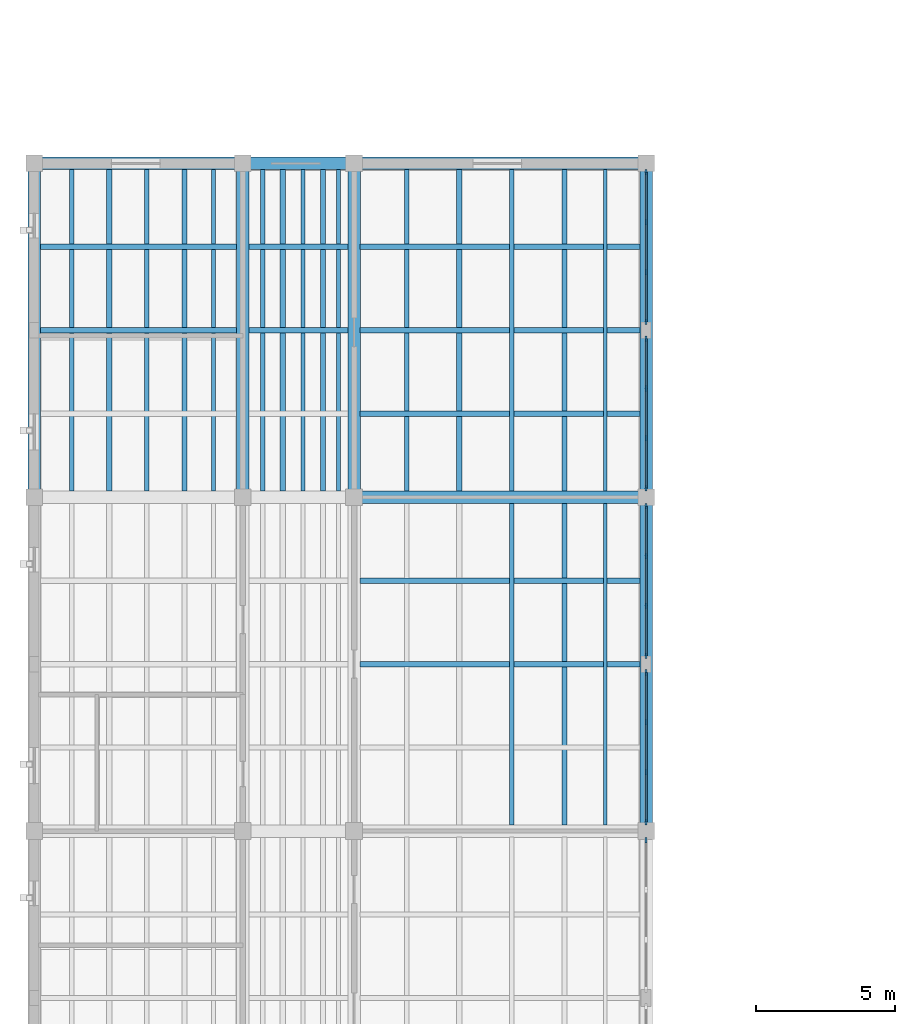
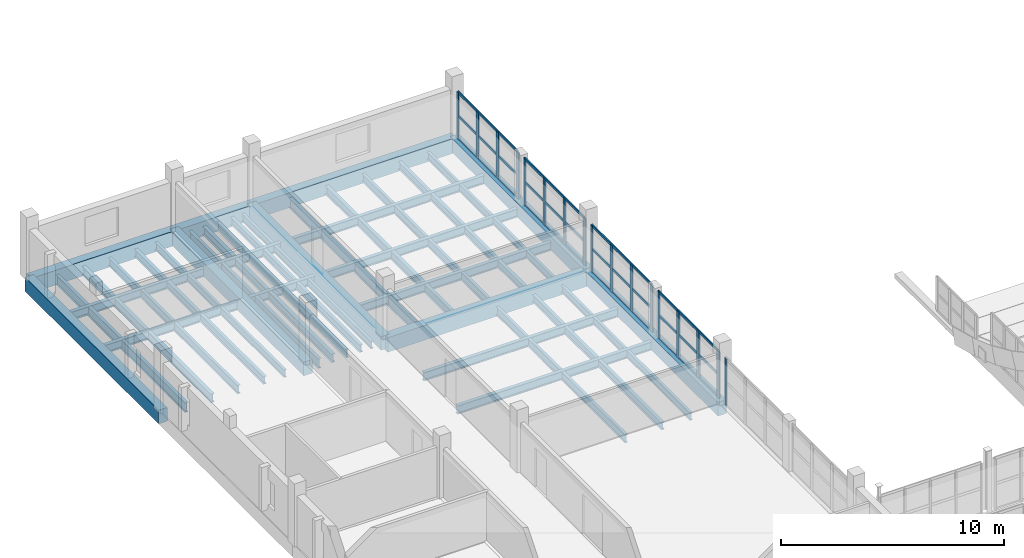
# One storey, part 23 of 77: 36 beams, 29 members, 5 elements without a shape of their own.
"""IFC4 building model written with IfcOpenShell, lengths in metres."""

from ifc_helpers import new_model, si_unit, direction, frame, origin, origin_2d, place, context, subcontext, project, spatial, rectangle, i_section, extrude, material, layer, layer_set, material_profile, profile_set, type_object, element, aggregate, save


model = new_model("IFC4")

# Units and contexts
model_context = context("Model", 3, precision=1e-05, world=origin(), true_north=direction((0.0, 1.0)))
body_context = subcontext(model_context, "Body", "Model", "MODEL_VIEW")
ifc_project = project(units=[si_unit("LENGTHUNIT", "METRE"), si_unit("AREAUNIT", "SQUARE_METRE"), si_unit("VOLUMEUNIT", "CUBIC_METRE"), si_unit("PLANEANGLEUNIT", "RADIAN"), si_unit("MASSUNIT", "GRAM", prefix="KILO")], contexts=[model_context])

# Site, building, storey
site_placement = place(None, origin())
site = spatial("IfcSite", under=ifc_project, at=site_placement, CompositionType="ELEMENT")
building_placement = place(site_placement, origin())
building = spatial("IfcBuilding", under=site, at=building_placement, Name="Trellovar Central Fire Station", CompositionType="ELEMENT")
storey_placement = place(building_placement, frame((0.0, 0.0, 5.85009765625)))
storey = spatial("IfcBuildingStorey", under=building, at=storey_placement, Name="L02", CompositionType="ELEMENT", Elevation=5.85009765625)

# Beams
ifc_material_1 = material(Name="Concrete C40/50", Category="concrete")
ifc_material_profile_1 = material_profile(ifc_material_1, rectangle(XDim=0.449951171875, YDim=0.800048828125, at=origin_2d()), Name="RC450X800")
ifc_profile_set_1 = profile_set([ifc_material_profile_1], Name="Concrete C40/50")
beam_type_1 = type_object("IfcBeamType", Name="BM-G1", PredefinedType="BEAM", material=ifc_profile_set_1)
beam_1_placement = place(storey_placement, frame((12.5, 53.0, -0.400146484375), z_axis=(1.0, 0.0, 0.0), x_axis=(0.0, 1.0, 0.0)))
element("IfcBeam", 1, at=beam_1_placement, inside=storey, type_object=beam_type_1, Name="L02 beam G-1", PredefinedType="BEAM", context=body_context, shape_type="SweptSolid", body=[
    extrude(rectangle(XDim=0.449951171875, YDim=0.800048828125, at=origin_2d()), origin(), (0.0, 0.0, 1.0), 10.5),
])
beam_2_placement = place(storey_placement, frame((1.0, 65.0, -0.400146484375), z_axis=(1.0, 0.0, 0.0), x_axis=(0.0, 1.0, 0.0)))
element("IfcBeam", 2, at=beam_2_placement, inside=storey, type_object=beam_type_1, Name="L02 beam G-1", PredefinedType="BEAM", context=body_context, shape_type="SweptSolid", body=[
    extrude(rectangle(XDim=0.449951171875, YDim=0.800048828125, at=origin_2d()), origin(), (0.0, 0.0, 1.0), 7.5),
])
beam_3_placement = place(storey_placement, frame((8.5, 65.0, -0.400146484375), z_axis=(1.0, 0.0, 0.0), x_axis=(0.0, 1.0, 0.0)))
element("IfcBeam", 3, at=beam_3_placement, inside=storey, type_object=beam_type_1, Name="L02 beam G-1", PredefinedType="BEAM", context=body_context, shape_type="SweptSolid", body=[
    extrude(rectangle(XDim=0.449951171875, YDim=0.800048828125, at=origin_2d()), origin(), (0.0, 0.0, 1.0), 4.0),
])
beam_4_placement = place(storey_placement, frame((12.5, 65.0, -0.400146484375), z_axis=(1.0, 0.0, 0.0), x_axis=(0.0, 1.0, 0.0)))
element("IfcBeam", 4, at=beam_4_placement, inside=storey, type_object=beam_type_1, Name="L02 beam G-1", PredefinedType="BEAM", context=body_context, shape_type="SweptSolid", body=[
    extrude(rectangle(XDim=0.449951171875, YDim=0.800048828125, at=origin_2d()), origin(), (0.0, 0.0, 1.0), 10.5),
])
ifc_material_2 = material(Name="Concrete C40/50", Category="concrete")
ifc_material_profile_2 = material_profile(ifc_material_2, rectangle(XDim=0.449951171875, YDim=0.75, at=origin_2d()), Name="RC450X750")
ifc_profile_set_2 = profile_set([ifc_material_profile_2], Name="Concrete C40/50")
beam_type_2 = type_object("IfcBeamType", Name="BM-G2", PredefinedType="BEAM", material=ifc_profile_set_2)
for number, where, z_axis, x_axis, name in (
    (5, (1.0, 53.0, -0.375), (0.0, 1.0, 0.0), (-1.0, 0.0, 0.0), "L02 beam G-2"),
    (6, (8.5, 53.0, -0.375), (0.0, 1.0, 0.0), (-1.0, 0.0, 0.0), "L02 beam G-2"),
    (7, (12.5, 53.0, -0.375), (0.0, 1.0, 0.0), (-1.0, 0.0, 0.0), "L02 beam G-2"),
    (8, (23.0, 41.0, -0.375), (0.0, 1.0, 0.0), (-1.0, 0.0, 0.0), "L02 beam G-2"),
    (9, (23.0, 53.0, -0.375), (0.0, 1.0, 0.0), (-1.0, 0.0, 0.0), "L02 beam G-2"),
):
    element("IfcBeam", number, at=place(storey_placement, frame(where, z_axis=z_axis, x_axis=x_axis)), inside=storey, type_object=beam_type_2, Name=name, PredefinedType="BEAM", context=body_context, shape_type="SweptSolid", body=[
        extrude(rectangle(XDim=0.449951171875, YDim=0.75, at=origin_2d()), origin(), (0.0, 0.0, 1.0), 12.0),
    ])
ifc_material_3 = material(Name="Steel ASTM A992 Grade 50", Category="steel")
ifc_material_profile_3 = material_profile(ifc_material_3, i_section(OverallWidth=0.15283203125, OverallDepth=0.45458984375, WebThickness=0.008056640625, FlangeThickness=0.01318359375, FilletRadius=0.0126953125, at=origin_2d()), Name="W18X40")
ifc_profile_set_3 = profile_set([ifc_material_profile_3], Name="Steel ASTM A992 Grade 50")
beam_type_3 = type_object("IfcBeamType", Name="BM-SW10", PredefinedType="JOIST", material=ifc_profile_set_3)
for number, where, z_axis, x_axis, name in (
    (10, (5.050048828125, 53.219970703125, -0.487548828125), (0.0, 1.0, 0.0), (-1.0, 0.0, 0.0), "L02 secondary steel deck joist"),
    (11, (10.659912109375, 53.219970703125, -0.487548828125), (0.0, 1.0, 0.0), (-1.0, 0.0, 0.0), "L02 secondary steel deck joist"),
    (12, (18.169921875, 41.219970703125, -0.487548828125), (0.0, 1.0, 0.0), (-1.0, 0.0, 0.0), "L02 secondary steel deck joist"),
    (13, (18.169921875, 53.219970703125, -0.487548828125), (0.0, 1.0, 0.0), (-1.0, 0.0, 0.0), "L02 secondary steel deck joist"),
):
    element("IfcBeam", number, at=place(storey_placement, frame(where, z_axis=z_axis, x_axis=x_axis)), inside=storey, type_object=beam_type_3, Name=name, PredefinedType="JOIST", context=body_context, shape_type="SweptSolid", body=[
        extrude(i_section(OverallWidth=0.15283203125, OverallDepth=0.45458984375, WebThickness=0.008056640625, FlangeThickness=0.01318359375, FilletRadius=0.0126953125, at=origin_2d()), origin(), (0.0, 0.0, 1.0), 11.56005859375),
    ])
ifc_material_4 = material(Name="Steel ASTM A992 Grade 50", Category="steel")
ifc_material_profile_4 = material_profile(ifc_material_4, i_section(OverallWidth=0.177490234375, OverallDepth=0.40380859375, WebThickness=0.007568359375, FlangeThickness=0.010986328125, FilletRadius=0.011474609375, at=origin_2d()), Name="W16X36")
ifc_profile_set_4 = profile_set([ifc_material_profile_4], Name="Steel ASTM A992 Grade 50")
beam_type_4 = type_object("IfcBeamType", Name="BM-SW11", PredefinedType="JOIST", material=ifc_profile_set_4)
for number, where, z_axis, x_axis, name in (
    (14, (6.39990234375, 53.219970703125, -0.462158203125), (0.0, 1.0, 0.0), (-1.0, 0.0, 0.0), "L02 secondary steel deck joist"),
    (15, (11.3798828125, 53.219970703125, -0.462158203125), (0.0, 1.0, 0.0), (-1.0, 0.0, 0.0), "L02 secondary steel deck joist"),
    (16, (20.06005859375, 41.219970703125, -0.462158203125), (0.0, 1.0, 0.0), (-1.0, 0.0, 0.0), "L02 secondary steel deck joist"),
    (17, (20.06005859375, 53.219970703125, -0.462158203125), (0.0, 1.0, 0.0), (-1.0, 0.0, 0.0), "L02 secondary steel deck joist"),
):
    element("IfcBeam", number, at=place(storey_placement, frame(where, z_axis=z_axis, x_axis=x_axis)), inside=storey, type_object=beam_type_4, Name=name, PredefinedType="JOIST", context=body_context, shape_type="SweptSolid", body=[
        extrude(i_section(OverallWidth=0.177490234375, OverallDepth=0.40380859375, WebThickness=0.007568359375, FlangeThickness=0.010986328125, FilletRadius=0.011474609375, at=origin_2d()), origin(), (0.0, 0.0, 1.0), 11.56005859375),
    ])
ifc_material_5 = material(Name="Steel ASTM A992 Grade 50", Category="steel")
ifc_material_profile_5 = material_profile(ifc_material_5, i_section(OverallWidth=0.140380859375, OverallDepth=0.4033203125, WebThickness=0.007080078125, FlangeThickness=0.01123046875, FilletRadius=0.011474609375, at=origin_2d()), Name="W16X31")
ifc_profile_set_5 = profile_set([ifc_material_profile_5], Name="Steel ASTM A992 Grade 50")
beam_type_5 = type_object("IfcBeamType", Name="BM-SW12", PredefinedType="JOIST", material=ifc_profile_set_5)
for number, where, z_axis, x_axis, name in (
    (18, (7.449951171875, 53.219970703125, -0.4619140625), (0.0, 1.0, 0.0), (-1.0, 0.0, 0.0), "L02 secondary steel deck joist"),
    (19, (11.93994140625, 53.219970703125, -0.4619140625), (0.0, 1.0, 0.0), (-1.0, 0.0, 0.0), "L02 secondary steel deck joist"),
    (20, (21.530029296875, 41.219970703125, -0.4619140625), (0.0, 1.0, 0.0), (-1.0, 0.0, 0.0), "L02 secondary steel deck joist"),
    (21, (21.530029296875, 53.219970703125, -0.4619140625), (0.0, 1.0, 0.0), (-1.0, 0.0, 0.0), "L02 secondary steel deck joist"),
):
    element("IfcBeam", number, at=place(storey_placement, frame(where, z_axis=z_axis, x_axis=x_axis)), inside=storey, type_object=beam_type_5, Name=name, PredefinedType="JOIST", context=body_context, shape_type="SweptSolid", body=[
        extrude(i_section(OverallWidth=0.140380859375, OverallDepth=0.4033203125, WebThickness=0.007080078125, FlangeThickness=0.01123046875, FilletRadius=0.011474609375, at=origin_2d()), origin(), (0.0, 0.0, 1.0), 11.56005859375),
    ])
ifc_material_6 = material(Name="Steel ASTM A992 Grade 50", Category="steel")
ifc_material_profile_6 = material_profile(ifc_material_6, i_section(OverallWidth=0.166015625, OverallDepth=0.529052734375, WebThickness=0.009765625, FlangeThickness=0.013671875, FilletRadius=0.013916015625, at=origin_2d()), Name="W21X50")
ifc_profile_set_6 = profile_set([ifc_material_profile_6], Name="Steel ASTM A992 Grade 50")
beam_type_6 = type_object("IfcBeamType", Name="BM-SW8", PredefinedType="JOIST", material=ifc_profile_set_6)
for number, where, z_axis, x_axis, name in (
    (22, (2.35009765625, 53.219970703125, -0.524658203125), (0.0, 1.0, 0.0), (-1.0, 0.0, 0.0), "L02 secondary steel deck joist"),
    (23, (9.219970703125, 53.219970703125, -0.524658203125), (0.0, 1.0, 0.0), (-1.0, 0.0, 0.0), "L02 secondary steel deck joist"),
    (24, (14.389892578125, 53.219970703125, -0.524658203125), (0.0, 1.0, 0.0), (-1.0, 0.0, 0.0), "L02 secondary steel deck joist"),
):
    element("IfcBeam", number, at=place(storey_placement, frame(where, z_axis=z_axis, x_axis=x_axis)), inside=storey, type_object=beam_type_6, Name=name, PredefinedType="JOIST", context=body_context, shape_type="SweptSolid", body=[
        extrude(i_section(OverallWidth=0.166015625, OverallDepth=0.529052734375, WebThickness=0.009765625, FlangeThickness=0.013671875, FilletRadius=0.013916015625, at=origin_2d()), origin(), (0.0, 0.0, 1.0), 11.56005859375),
    ])
ifc_material_7 = material(Name="Steel ASTM A992 Grade 50", Category="steel")
ifc_material_profile_7 = material_profile(ifc_material_7, i_section(OverallWidth=0.1904296875, OverallDepth=0.457275390625, WebThickness=0.009033203125, FlangeThickness=0.014404296875, FilletRadius=0.0126953125, at=origin_2d()), Name="W18X50")
ifc_profile_set_7 = profile_set([ifc_material_profile_7], Name="Steel ASTM A992 Grade 50")
beam_type_7 = type_object("IfcBeamType", Name="BM-SW9", PredefinedType="JOIST", material=ifc_profile_set_7)
for number, where, z_axis, x_axis, name in (
    (25, (1.219970703125, 59.0, -0.48876953125), (1.0, 0.0, 0.0), (0.0, 1.0, 0.0), "L02 beam SB-9"),
    (26, (1.219970703125, 62.0, -0.48876953125), (1.0, 0.0, 0.0), (0.0, 1.0, 0.0), "L02 beam SB-9"),
):
    element("IfcBeam", number, at=place(storey_placement, frame(where, z_axis=z_axis, x_axis=x_axis)), inside=storey, type_object=beam_type_7, Name=name, PredefinedType="JOIST", context=body_context, shape_type="SweptSolid", body=[
        extrude(i_section(OverallWidth=0.1904296875, OverallDepth=0.457275390625, WebThickness=0.009033203125, FlangeThickness=0.014404296875, FilletRadius=0.0126953125, at=origin_2d()), origin(), (0.0, 0.0, 1.0), 7.06005859375),
    ])
for number, where, z_axis, x_axis, name in (
    (27, (8.719970703125, 59.0, -0.48876953125), (1.0, 0.0, 0.0), (0.0, 1.0, 0.0), "L02 beam SB-9"),
    (28, (8.719970703125, 62.0, -0.48876953125), (1.0, 0.0, 0.0), (0.0, 1.0, 0.0), "L02 beam SB-9"),
):
    element("IfcBeam", number, at=place(storey_placement, frame(where, z_axis=z_axis, x_axis=x_axis)), inside=storey, type_object=beam_type_7, Name=name, PredefinedType="JOIST", context=body_context, shape_type="SweptSolid", body=[
        extrude(i_section(OverallWidth=0.1904296875, OverallDepth=0.457275390625, WebThickness=0.009033203125, FlangeThickness=0.014404296875, FilletRadius=0.0126953125, at=origin_2d()), origin(), (0.0, 0.0, 1.0), 3.56005859375),
    ])
for number, where, z_axis, x_axis, name in (
    (29, (12.719970703125, 47.0, -0.48876953125), (1.0, 0.0, 0.0), (0.0, 1.0, 0.0), "L02 beam SB-9"),
    (30, (12.719970703125, 50.0, -0.48876953125), (1.0, 0.0, 0.0), (0.0, 1.0, 0.0), "L02 beam SB-9"),
    (31, (12.719970703125, 56.0, -0.48876953125), (1.0, 0.0, 0.0), (0.0, 1.0, 0.0), "L02 beam SB-9"),
    (32, (12.719970703125, 59.0, -0.48876953125), (1.0, 0.0, 0.0), (0.0, 1.0, 0.0), "L02 beam SB-9"),
    (33, (12.719970703125, 62.0, -0.48876953125), (1.0, 0.0, 0.0), (0.0, 1.0, 0.0), "L02 beam SB-9"),
):
    element("IfcBeam", number, at=place(storey_placement, frame(where, z_axis=z_axis, x_axis=x_axis)), inside=storey, type_object=beam_type_7, Name=name, PredefinedType="JOIST", context=body_context, shape_type="SweptSolid", body=[
        extrude(i_section(OverallWidth=0.1904296875, OverallDepth=0.457275390625, WebThickness=0.009033203125, FlangeThickness=0.014404296875, FilletRadius=0.0126953125, at=origin_2d()), origin(), (0.0, 0.0, 1.0), 10.06005859375),
    ])
for number, where, z_axis, x_axis, name in (
    (34, (3.699951171875, 53.219970703125, -0.48876953125), (0.0, 1.0, 0.0), (-1.0, 0.0, 0.0), "L02 secondary steel deck joist"),
    (35, (9.93994140625, 53.219970703125, -0.48876953125), (0.0, 1.0, 0.0), (-1.0, 0.0, 0.0), "L02 secondary steel deck joist"),
    (36, (16.280029296875, 53.219970703125, -0.48876953125), (0.0, 1.0, 0.0), (-1.0, 0.0, 0.0), "L02 secondary steel deck joist"),
):
    element("IfcBeam", number, at=place(storey_placement, frame(where, z_axis=z_axis, x_axis=x_axis)), inside=storey, type_object=beam_type_7, Name=name, PredefinedType="JOIST", context=body_context, shape_type="SweptSolid", body=[
        extrude(i_section(OverallWidth=0.1904296875, OverallDepth=0.457275390625, WebThickness=0.009033203125, FlangeThickness=0.014404296875, FilletRadius=0.0126953125, at=origin_2d()), origin(), (0.0, 0.0, 1.0), 11.56005859375),
    ])

# Curtain wall, member
ifc_material_8 = material(Name="Thermally broken bronze anodized aluminum", Category="aluminium")
ifc_layer = layer(ifc_material_8, 0.159912109375)
ifc_layer_set = layer_set([ifc_layer], Name="Thermally broken bronze anodized aluminum")
curtain_wall_type = type_object("IfcCurtainWallType", Name="CW-02", PredefinedType="NOTDEFINED", material=ifc_layer_set)
curtain_wall_1_placement = place(storey_placement, origin())
curtain_wall_1 = element("IfcCurtainWall", 37, at=curtain_wall_1_placement, inside=storey, type_object=curtain_wall_type, Name="L02 curtain wall CW-2", PredefinedType="NOTDEFINED")
ifc_material_9 = material(Name="Thermally broken bronze anodized aluminum", Category="aluminium")
ifc_material_profile_8 = material_profile(ifc_material_9, rectangle(XDim=0.074951171875, YDim=0.199951171875, at=origin_2d()), Name="ALU75X200")
ifc_profile_set_8 = profile_set([ifc_material_profile_8], Name="Thermally broken bronze anodized aluminum")
member_type_1 = type_object("IfcMemberType", Name="CWM-1", PredefinedType="MULLION", material=ifc_profile_set_8)
member_1_placement = place(storey_placement, frame((23.0, 40.675048828125, 0.0), z_axis=(0.0, 0.0, 1.0), x_axis=(1.0, 0.0, 0.0)))
member_1 = element("IfcMember", 38, at=member_1_placement, type_object=member_type_1, Name="CW3-L02-0040 mullion 4", PredefinedType="MULLION", context=body_context, shape_type="SweptSolid", body=[
    extrude(rectangle(XDim=0.074951171875, YDim=0.199951171875, at=origin_2d()), origin(), (0.0, 0.0, 1.0), 2.5498046875),
])
aggregate(curtain_wall_1, [member_1])

# Curtain wall, members
curtain_wall_2_placement = place(storey_placement, origin())
curtain_wall_2 = element("IfcCurtainWall", 39, at=curtain_wall_2_placement, inside=storey, type_object=curtain_wall_type, Name="L02 curtain wall CW-2", PredefinedType="NOTDEFINED")
member_2_placement = place(storey_placement, frame((23.0, 41.324951171875, 0.0), z_axis=(0.0, 0.0, 1.0), x_axis=(1.0, 0.0, 0.0)))
member_2 = element("IfcMember", 40, at=member_2_placement, type_object=member_type_1, Name="CW3-L02-0041 mullion 1", PredefinedType="MULLION", context=body_context, shape_type="SweptSolid", body=[
    extrude(rectangle(XDim=0.074951171875, YDim=0.199951171875, at=origin_2d()), origin(), (0.0, 0.0, 1.0), 2.5498046875),
])
member_3_placement = place(storey_placement, frame((23.0, 43.11669921875, 0.0), z_axis=(0.0, 0.0, 1.0), x_axis=(1.0, 0.0, 0.0)))
member_3 = element("IfcMember", 41, at=member_3_placement, type_object=member_type_1, Name="CW3-L02-0041 mullion 2", PredefinedType="MULLION", context=body_context, shape_type="SweptSolid", body=[
    extrude(rectangle(XDim=0.074951171875, YDim=0.199951171875, at=origin_2d()), origin(), (0.0, 0.0, 1.0), 2.5498046875),
])
member_4_placement = place(storey_placement, frame((23.0, 44.908203125, 0.0), z_axis=(0.0, 0.0, 1.0), x_axis=(1.0, 0.0, 0.0)))
member_4 = element("IfcMember", 42, at=member_4_placement, type_object=member_type_1, Name="CW3-L02-0041 mullion 3", PredefinedType="MULLION", context=body_context, shape_type="SweptSolid", body=[
    extrude(rectangle(XDim=0.074951171875, YDim=0.199951171875, at=origin_2d()), origin(), (0.0, 0.0, 1.0), 2.5498046875),
])
member_5_placement = place(storey_placement, frame((23.0, 46.699951171875, 0.0), z_axis=(0.0, 0.0, 1.0), x_axis=(1.0, 0.0, 0.0)))
member_5 = element("IfcMember", 43, at=member_5_placement, type_object=member_type_1, Name="CW3-L02-0041 mullion 4", PredefinedType="MULLION", context=body_context, shape_type="SweptSolid", body=[
    extrude(rectangle(XDim=0.074951171875, YDim=0.199951171875, at=origin_2d()), origin(), (0.0, 0.0, 1.0), 2.5498046875),
])

curtain_wall_3_placement = place(storey_placement, origin())
curtain_wall_3 = element("IfcCurtainWall", 44, at=curtain_wall_3_placement, inside=storey, type_object=curtain_wall_type, Name="L02 curtain wall CW-2", PredefinedType="NOTDEFINED")
member_6_placement = place(storey_placement, frame((23.0, 47.300048828125, 0.0), z_axis=(0.0, 0.0, 1.0), x_axis=(1.0, 0.0, 0.0)))
member_6 = element("IfcMember", 45, at=member_6_placement, type_object=member_type_1, Name="CW3-L02-0042 mullion 1", PredefinedType="MULLION", context=body_context, shape_type="SweptSolid", body=[
    extrude(rectangle(XDim=0.074951171875, YDim=0.199951171875, at=origin_2d()), origin(), (0.0, 0.0, 1.0), 2.5498046875),
])
member_7_placement = place(storey_placement, frame((23.0, 49.091796875, 0.0), z_axis=(0.0, 0.0, 1.0), x_axis=(1.0, 0.0, 0.0)))
member_7 = element("IfcMember", 46, at=member_7_placement, type_object=member_type_1, Name="CW3-L02-0042 mullion 2", PredefinedType="MULLION", context=body_context, shape_type="SweptSolid", body=[
    extrude(rectangle(XDim=0.074951171875, YDim=0.199951171875, at=origin_2d()), origin(), (0.0, 0.0, 1.0), 2.5498046875),
])
member_8_placement = place(storey_placement, frame((23.0, 50.88330078125, 0.0), z_axis=(0.0, 0.0, 1.0), x_axis=(1.0, 0.0, 0.0)))
member_8 = element("IfcMember", 47, at=member_8_placement, type_object=member_type_1, Name="CW3-L02-0042 mullion 3", PredefinedType="MULLION", context=body_context, shape_type="SweptSolid", body=[
    extrude(rectangle(XDim=0.074951171875, YDim=0.199951171875, at=origin_2d()), origin(), (0.0, 0.0, 1.0), 2.5498046875),
])
member_9_placement = place(storey_placement, frame((23.0, 52.675048828125, 0.0), z_axis=(0.0, 0.0, 1.0), x_axis=(1.0, 0.0, 0.0)))
member_9 = element("IfcMember", 48, at=member_9_placement, type_object=member_type_1, Name="CW3-L02-0042 mullion 4", PredefinedType="MULLION", context=body_context, shape_type="SweptSolid", body=[
    extrude(rectangle(XDim=0.074951171875, YDim=0.199951171875, at=origin_2d()), origin(), (0.0, 0.0, 1.0), 2.5498046875),
])

curtain_wall_4_placement = place(storey_placement, origin())
curtain_wall_4 = element("IfcCurtainWall", 49, at=curtain_wall_4_placement, inside=storey, type_object=curtain_wall_type, Name="L02 curtain wall CW-2", PredefinedType="NOTDEFINED")
member_10_placement = place(storey_placement, frame((23.0, 53.324951171875, 0.0), z_axis=(0.0, 0.0, 1.0), x_axis=(1.0, 0.0, 0.0)))
member_10 = element("IfcMember", 50, at=member_10_placement, type_object=member_type_1, Name="CW3-L02-0043 mullion 1", PredefinedType="MULLION", context=body_context, shape_type="SweptSolid", body=[
    extrude(rectangle(XDim=0.074951171875, YDim=0.199951171875, at=origin_2d()), origin(), (0.0, 0.0, 1.0), 2.5498046875),
])
member_11_placement = place(storey_placement, frame((23.0, 55.11669921875, 0.0), z_axis=(0.0, 0.0, 1.0), x_axis=(1.0, 0.0, 0.0)))
member_11 = element("IfcMember", 51, at=member_11_placement, type_object=member_type_1, Name="CW3-L02-0043 mullion 2", PredefinedType="MULLION", context=body_context, shape_type="SweptSolid", body=[
    extrude(rectangle(XDim=0.074951171875, YDim=0.199951171875, at=origin_2d()), origin(), (0.0, 0.0, 1.0), 2.5498046875),
])
member_12_placement = place(storey_placement, frame((23.0, 56.908203125, 0.0), z_axis=(0.0, 0.0, 1.0), x_axis=(1.0, 0.0, 0.0)))
member_12 = element("IfcMember", 52, at=member_12_placement, type_object=member_type_1, Name="CW3-L02-0043 mullion 3", PredefinedType="MULLION", context=body_context, shape_type="SweptSolid", body=[
    extrude(rectangle(XDim=0.074951171875, YDim=0.199951171875, at=origin_2d()), origin(), (0.0, 0.0, 1.0), 2.5498046875),
])
member_13_placement = place(storey_placement, frame((23.0, 58.699951171875, 0.0), z_axis=(0.0, 0.0, 1.0), x_axis=(1.0, 0.0, 0.0)))
member_13 = element("IfcMember", 53, at=member_13_placement, type_object=member_type_1, Name="CW3-L02-0043 mullion 4", PredefinedType="MULLION", context=body_context, shape_type="SweptSolid", body=[
    extrude(rectangle(XDim=0.074951171875, YDim=0.199951171875, at=origin_2d()), origin(), (0.0, 0.0, 1.0), 2.5498046875),
])

curtain_wall_5_placement = place(storey_placement, origin())
curtain_wall_5 = element("IfcCurtainWall", 54, at=curtain_wall_5_placement, inside=storey, type_object=curtain_wall_type, Name="L02 curtain wall CW-2", PredefinedType="NOTDEFINED")
member_14_placement = place(storey_placement, frame((23.0, 59.300048828125, 0.0), z_axis=(0.0, 0.0, 1.0), x_axis=(1.0, 0.0, 0.0)))
member_14 = element("IfcMember", 55, at=member_14_placement, type_object=member_type_1, Name="CW3-L02-0044 mullion 1", PredefinedType="MULLION", context=body_context, shape_type="SweptSolid", body=[
    extrude(rectangle(XDim=0.074951171875, YDim=0.199951171875, at=origin_2d()), origin(), (0.0, 0.0, 1.0), 2.5498046875),
])
member_15_placement = place(storey_placement, frame((23.0, 61.091796875, 0.0), z_axis=(0.0, 0.0, 1.0), x_axis=(1.0, 0.0, 0.0)))
member_15 = element("IfcMember", 56, at=member_15_placement, type_object=member_type_1, Name="CW3-L02-0044 mullion 2", PredefinedType="MULLION", context=body_context, shape_type="SweptSolid", body=[
    extrude(rectangle(XDim=0.074951171875, YDim=0.199951171875, at=origin_2d()), origin(), (0.0, 0.0, 1.0), 2.5498046875),
])
member_16_placement = place(storey_placement, frame((23.0, 62.88330078125, 0.0), z_axis=(0.0, 0.0, 1.0), x_axis=(1.0, 0.0, 0.0)))
member_16 = element("IfcMember", 57, at=member_16_placement, type_object=member_type_1, Name="CW3-L02-0044 mullion 3", PredefinedType="MULLION", context=body_context, shape_type="SweptSolid", body=[
    extrude(rectangle(XDim=0.074951171875, YDim=0.199951171875, at=origin_2d()), origin(), (0.0, 0.0, 1.0), 2.5498046875),
])
member_17_placement = place(storey_placement, frame((23.0, 64.675048828125, 0.0), z_axis=(0.0, 0.0, 1.0), x_axis=(1.0, 0.0, 0.0)))
member_17 = element("IfcMember", 58, at=member_17_placement, type_object=member_type_1, Name="CW3-L02-0044 mullion 4", PredefinedType="MULLION", context=body_context, shape_type="SweptSolid", body=[
    extrude(rectangle(XDim=0.074951171875, YDim=0.199951171875, at=origin_2d()), origin(), (0.0, 0.0, 1.0), 2.5498046875),
])

# Member
ifc_material_10 = material(Name="Thermally broken bronze anodized aluminum", Category="aluminium")
ifc_material_profile_9 = material_profile(ifc_material_10, rectangle(XDim=0.06005859375, YDim=0.139892578125, at=origin_2d()), Name="ALU60X140")
ifc_profile_set_9 = profile_set([ifc_material_profile_9], Name="Thermally broken bronze anodized aluminum")
member_type_2 = type_object("IfcMemberType", Name="CWT-1", PredefinedType="USERDEFINED", material=ifc_profile_set_9)
member_18_placement = place(storey_placement, frame((23.0, 41.324951171875, 0.0), z_axis=(0.0, 1.0, 0.0), x_axis=(-1.0, 0.0, 0.0)))
member_18 = element("IfcMember", 59, at=member_18_placement, type_object=member_type_2, Name="CW3-L02-0041 transom 1", ObjectType="TRANSOM", PredefinedType="USERDEFINED", context=body_context, shape_type="SweptSolid", body=[
    extrude(rectangle(XDim=0.06005859375, YDim=0.139892578125, at=origin_2d()), origin(), (0.0, 0.0, 1.0), 5.375),
])

member_19_placement = place(storey_placement, frame((23.0, 41.324951171875, 1.27490234375), z_axis=(0.0, 1.0, 0.0), x_axis=(-1.0, 0.0, 0.0)))
member_19 = element("IfcMember", 60, at=member_19_placement, type_object=member_type_2, Name="CW3-L02-0041 transom 2", ObjectType="TRANSOM", PredefinedType="USERDEFINED", context=body_context, shape_type="SweptSolid", body=[
    extrude(rectangle(XDim=0.06005859375, YDim=0.139892578125, at=origin_2d()), origin(), (0.0, 0.0, 1.0), 5.375),
])

member_20_placement = place(storey_placement, frame((23.0, 41.324951171875, 2.5498046875), z_axis=(0.0, 1.0, 0.0), x_axis=(-1.0, 0.0, 0.0)))
member_20 = element("IfcMember", 61, at=member_20_placement, type_object=member_type_2, Name="CW3-L02-0041 transom 3", ObjectType="TRANSOM", PredefinedType="USERDEFINED", context=body_context, shape_type="SweptSolid", body=[
    extrude(rectangle(XDim=0.06005859375, YDim=0.139892578125, at=origin_2d()), origin(), (0.0, 0.0, 1.0), 5.375),
])

aggregate(curtain_wall_2, [member_2, member_3, member_4, member_5, member_18, member_19, member_20])

member_21_placement = place(storey_placement, frame((23.0, 47.300048828125, 0.0), z_axis=(0.0, 1.0, 0.0), x_axis=(-1.0, 0.0, 0.0)))
member_21 = element("IfcMember", 62, at=member_21_placement, type_object=member_type_2, Name="CW3-L02-0042 transom 1", ObjectType="TRANSOM", PredefinedType="USERDEFINED", context=body_context, shape_type="SweptSolid", body=[
    extrude(rectangle(XDim=0.06005859375, YDim=0.139892578125, at=origin_2d()), origin(), (0.0, 0.0, 1.0), 5.375),
])

member_22_placement = place(storey_placement, frame((23.0, 47.300048828125, 1.27490234375), z_axis=(0.0, 1.0, 0.0), x_axis=(-1.0, 0.0, 0.0)))
member_22 = element("IfcMember", 63, at=member_22_placement, type_object=member_type_2, Name="CW3-L02-0042 transom 2", ObjectType="TRANSOM", PredefinedType="USERDEFINED", context=body_context, shape_type="SweptSolid", body=[
    extrude(rectangle(XDim=0.06005859375, YDim=0.139892578125, at=origin_2d()), origin(), (0.0, 0.0, 1.0), 5.375),
])

member_23_placement = place(storey_placement, frame((23.0, 47.300048828125, 2.5498046875), z_axis=(0.0, 1.0, 0.0), x_axis=(-1.0, 0.0, 0.0)))
member_23 = element("IfcMember", 64, at=member_23_placement, type_object=member_type_2, Name="CW3-L02-0042 transom 3", ObjectType="TRANSOM", PredefinedType="USERDEFINED", context=body_context, shape_type="SweptSolid", body=[
    extrude(rectangle(XDim=0.06005859375, YDim=0.139892578125, at=origin_2d()), origin(), (0.0, 0.0, 1.0), 5.375),
])

aggregate(curtain_wall_3, [member_6, member_7, member_8, member_9, member_21, member_22, member_23])

member_24_placement = place(storey_placement, frame((23.0, 53.324951171875, 0.0), z_axis=(0.0, 1.0, 0.0), x_axis=(-1.0, 0.0, 0.0)))
member_24 = element("IfcMember", 65, at=member_24_placement, type_object=member_type_2, Name="CW3-L02-0043 transom 1", ObjectType="TRANSOM", PredefinedType="USERDEFINED", context=body_context, shape_type="SweptSolid", body=[
    extrude(rectangle(XDim=0.06005859375, YDim=0.139892578125, at=origin_2d()), origin(), (0.0, 0.0, 1.0), 5.375),
])

member_25_placement = place(storey_placement, frame((23.0, 53.324951171875, 1.27490234375), z_axis=(0.0, 1.0, 0.0), x_axis=(-1.0, 0.0, 0.0)))
member_25 = element("IfcMember", 66, at=member_25_placement, type_object=member_type_2, Name="CW3-L02-0043 transom 2", ObjectType="TRANSOM", PredefinedType="USERDEFINED", context=body_context, shape_type="SweptSolid", body=[
    extrude(rectangle(XDim=0.06005859375, YDim=0.139892578125, at=origin_2d()), origin(), (0.0, 0.0, 1.0), 5.375),
])

member_26_placement = place(storey_placement, frame((23.0, 53.324951171875, 2.5498046875), z_axis=(0.0, 1.0, 0.0), x_axis=(-1.0, 0.0, 0.0)))
member_26 = element("IfcMember", 67, at=member_26_placement, type_object=member_type_2, Name="CW3-L02-0043 transom 3", ObjectType="TRANSOM", PredefinedType="USERDEFINED", context=body_context, shape_type="SweptSolid", body=[
    extrude(rectangle(XDim=0.06005859375, YDim=0.139892578125, at=origin_2d()), origin(), (0.0, 0.0, 1.0), 5.375),
])

aggregate(curtain_wall_4, [member_10, member_11, member_12, member_13, member_24, member_25, member_26])

member_27_placement = place(storey_placement, frame((23.0, 59.300048828125, 0.0), z_axis=(0.0, 1.0, 0.0), x_axis=(-1.0, 0.0, 0.0)))
member_27 = element("IfcMember", 68, at=member_27_placement, type_object=member_type_2, Name="CW3-L02-0044 transom 1", ObjectType="TRANSOM", PredefinedType="USERDEFINED", context=body_context, shape_type="SweptSolid", body=[
    extrude(rectangle(XDim=0.06005859375, YDim=0.139892578125, at=origin_2d()), origin(), (0.0, 0.0, 1.0), 5.375),
])

member_28_placement = place(storey_placement, frame((23.0, 59.300048828125, 1.27490234375), z_axis=(0.0, 1.0, 0.0), x_axis=(-1.0, 0.0, 0.0)))
member_28 = element("IfcMember", 69, at=member_28_placement, type_object=member_type_2, Name="CW3-L02-0044 transom 2", ObjectType="TRANSOM", PredefinedType="USERDEFINED", context=body_context, shape_type="SweptSolid", body=[
    extrude(rectangle(XDim=0.06005859375, YDim=0.139892578125, at=origin_2d()), origin(), (0.0, 0.0, 1.0), 5.375),
])

member_29_placement = place(storey_placement, frame((23.0, 59.300048828125, 2.5498046875), z_axis=(0.0, 1.0, 0.0), x_axis=(-1.0, 0.0, 0.0)))
member_29 = element("IfcMember", 70, at=member_29_placement, type_object=member_type_2, Name="CW3-L02-0044 transom 3", ObjectType="TRANSOM", PredefinedType="USERDEFINED", context=body_context, shape_type="SweptSolid", body=[
    extrude(rectangle(XDim=0.06005859375, YDim=0.139892578125, at=origin_2d()), origin(), (0.0, 0.0, 1.0), 5.375),
])

aggregate(curtain_wall_5, [member_14, member_15, member_16, member_17, member_27, member_28, member_29])

save(model, "model.ifc")
